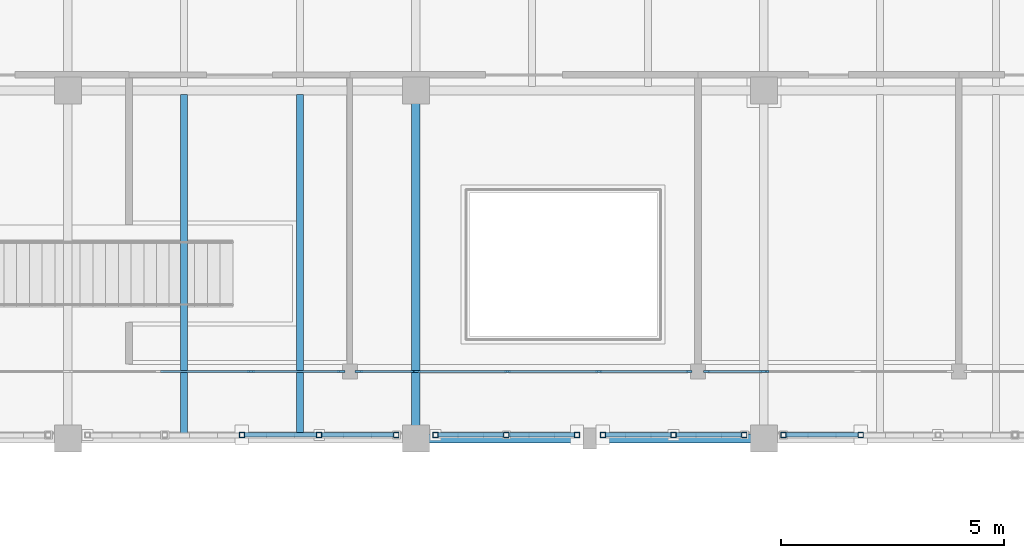
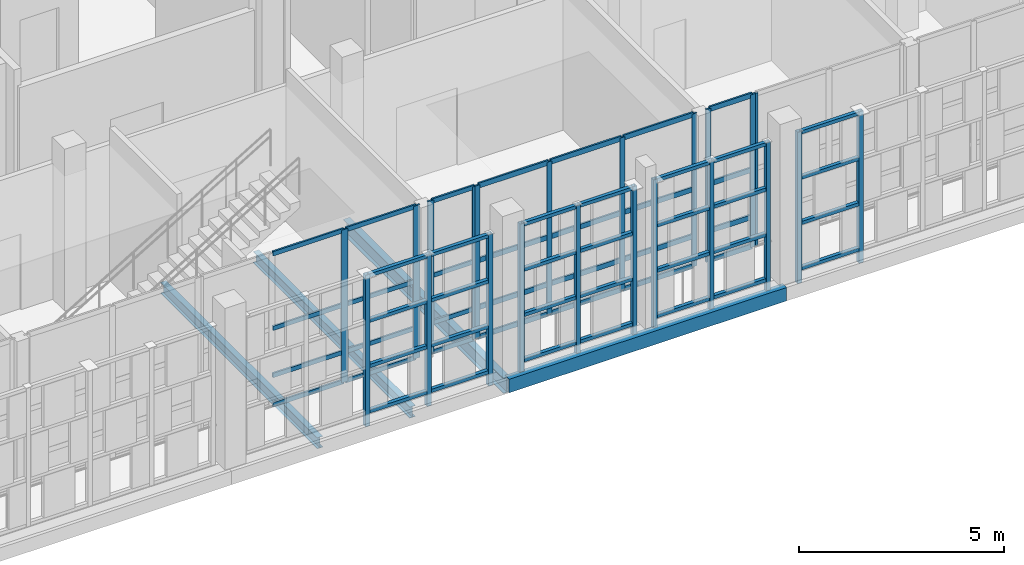
# One storey, part 60 of 138: 78 members, 4 beams, 5 elements without a shape of their own.
"""IFC4 building model written with IfcOpenShell, lengths in metres."""

from ifc_helpers import new_model, si_unit, direction, frame, origin, origin_2d, place, context, subcontext, project, spatial, rectangle, hollow_rectangle, i_section, extrude, material, layer, layer_set, material_profile, profile_set, type_object, element, aggregate, save


model = new_model("IFC4")

# Units and contexts
model_context = context("Model", 3, precision=1e-05, world=origin(), true_north=direction((0.0, 1.0)))
body_context = subcontext(model_context, "Body", "Model", "MODEL_VIEW")
ifc_project = project(units=[si_unit("LENGTHUNIT", "METRE"), si_unit("AREAUNIT", "SQUARE_METRE"), si_unit("VOLUMEUNIT", "CUBIC_METRE"), si_unit("PLANEANGLEUNIT", "RADIAN"), si_unit("MASSUNIT", "GRAM", prefix="KILO")], contexts=[model_context])

# Site, building, storey
site_placement = place(None, origin())
site = spatial("IfcSite", under=ifc_project, at=site_placement, CompositionType="ELEMENT")
building_placement = place(site_placement, origin())
building = spatial("IfcBuilding", under=site, at=building_placement, Name="Celorna Specialist Clinic", CompositionType="ELEMENT")
storey_placement = place(building_placement, frame((0.0, 0.0, 4.800048828125)))
storey = spatial("IfcBuildingStorey", under=building, at=storey_placement, Name="L01", CompositionType="ELEMENT", Elevation=4.800048828125)

# Beams
ifc_material_1 = material(Name="Steel S355", Category="steel")
ifc_material_profile_1 = material_profile(ifc_material_1, i_section(OverallWidth=0.18994140625, OverallDepth=0.449951171875, WebThickness=0.009521484375, FlangeThickness=0.0146484375, at=origin_2d()), Name="IPE 450")
ifc_profile_set_1 = profile_set([ifc_material_profile_1], Name="Steel S355")
beam_type_1 = type_object("IfcBeamType", Name="BM-09", PredefinedType="BEAM", material=ifc_profile_set_1)
beam_1_placement = place(storey_placement, frame((117.0, 96.5, -0.485107421875), z_axis=(0.0, 1.0, 0.0), x_axis=(-1.0, 0.0, 0.0)))
element("IfcBeam", 1, at=beam_1_placement, inside=storey, type_object=beam_type_1, Name="Transverse girder BM-09 #959", PredefinedType="BEAM", context=body_context, shape_type="SweptSolid", body=[
    extrude(i_section(OverallWidth=0.18994140625, OverallDepth=0.449951171875, WebThickness=0.009521484375, FlangeThickness=0.0146484375, at=origin_2d()), origin(), (0.0, 0.0, 1.0), 7.800048828125),
])
ifc_material_profile_2 = material_profile(ifc_material_1, i_section(OverallWidth=0.159912109375, OverallDepth=0.330078125, WebThickness=0.007568359375, FlangeThickness=0.011474609375, at=origin_2d()), Name="IPE 330")
ifc_profile_set_2 = profile_set([ifc_material_profile_2], Name="Steel S355")
beam_type_2 = type_object("IfcBeamType", Name="BM-12", PredefinedType="JOIST", material=ifc_profile_set_2)
for number, where, z_axis, x_axis, name in (
    (2, (111.800048828125, 96.587890625, -0.425048828125), (0.0, 1.0, 0.0), (-1.0, 0.0, 0.0), "Secondary floor joist BM-12 #1025"),
    (3, (114.39990234375, 96.587890625, -0.425048828125), (0.0, 1.0, 0.0), (-1.0, 0.0, 0.0), "Secondary floor joist BM-12 #1026"),
):
    element("IfcBeam", number, at=place(storey_placement, frame(where, z_axis=z_axis, x_axis=x_axis)), inside=storey, type_object=beam_type_2, Name=name, PredefinedType="JOIST", context=body_context, shape_type="SweptSolid", body=[
        extrude(i_section(OverallWidth=0.159912109375, OverallDepth=0.330078125, WebThickness=0.007568359375, FlangeThickness=0.011474609375, at=origin_2d()), origin(), (0.0, 0.0, 1.0), 7.6240234375),
    ])
ifc_material_profile_3 = material_profile(ifc_material_1, hollow_rectangle(XDim=0.199951171875, YDim=0.39990234375, WallThickness=0.011962890625, at=origin_2d()), Name="RHS 200x400x12")
ifc_profile_set_3 = profile_set([ifc_material_profile_3], Name="Steel S355")
beam_type_3 = type_object("IfcBeamType", Name="BM-15", PredefinedType="SPANDREL", material=ifc_profile_set_3)
beam_2_placement = place(storey_placement, frame((117.0, 96.5, -0.4599609375), z_axis=(1.0, 0.0, 0.0), x_axis=(0.0, 1.0, 0.0)))
element("IfcBeam", 4, at=beam_2_placement, inside=storey, type_object=beam_type_3, Name="Spandrel beam BM-15 #878", PredefinedType="SPANDREL", context=body_context, shape_type="SweptSolid", body=[
    extrude(hollow_rectangle(XDim=0.199951171875, YDim=0.39990234375, WallThickness=0.011962890625, at=origin_2d()), origin(), (0.0, 0.0, 1.0), 7.800048828125),
])

# Members
ifc_material_profile_4 = material_profile(ifc_material_1, hollow_rectangle(XDim=0.1201171875, YDim=0.1201171875, WallThickness=0.008056640625, at=origin_2d()), Name="SHS 120x120x8")
ifc_profile_set_4 = profile_set([ifc_material_profile_4], Name="Steel S355")
member_type_1 = type_object("IfcMemberType", Name="MB-11", PredefinedType="STUD", material=ifc_profile_set_4)
for number, where, z_axis, x_axis, name in (
    (5, (113.10009765625, 96.580078125, -0.360107421875), (0.0, 0.0, 1.0), (1.0, 0.0, 0.0), "Perforated screen steel post #859"),
    (6, (114.830078125, 96.580078125, -0.360107421875), (0.0, 0.0, 1.0), (1.0, 0.0, 0.0), "Perforated screen steel post #860"),
    (7, (116.56005859375, 96.580078125, -0.360107421875), (0.0, 0.0, 1.0), (1.0, 0.0, 0.0), "Perforated screen steel post #861"),
    (8, (117.43994140625, 96.580078125, -0.360107421875), (0.0, 0.0, 1.0), (1.0, 0.0, 0.0), "Perforated screen steel post #878"),
    (9, (119.02490234375, 96.580078125, -0.360107421875), (0.0, 0.0, 1.0), (1.0, 0.0, 0.0), "Perforated screen steel post #879"),
    (10, (120.610107421875, 96.580078125, -0.360107421875), (0.0, 0.0, 1.0), (1.0, 0.0, 0.0), "Perforated screen steel post #880"),
    (11, (121.18994140625, 96.580078125, -0.360107421875), (0.0, 0.0, 1.0), (1.0, 0.0, 0.0), "Perforated screen steel post #889"),
    (12, (122.77490234375, 96.580078125, -0.360107421875), (0.0, 0.0, 1.0), (1.0, 0.0, 0.0), "Perforated screen steel post #890"),
    (13, (124.360107421875, 96.580078125, -0.360107421875), (0.0, 0.0, 1.0), (1.0, 0.0, 0.0), "Perforated screen steel post #891"),
    (14, (125.239990234375, 96.580078125, -0.360107421875), (0.0, 0.0, 1.0), (1.0, 0.0, 0.0), "Perforated screen steel post #900"),
    (15, (126.969970703125, 96.580078125, -0.360107421875), (0.0, 0.0, 1.0), (1.0, 0.0, 0.0), "Perforated screen steel post #901"),
):
    element("IfcMember", number, at=place(storey_placement, frame(where, z_axis=z_axis, x_axis=x_axis)), inside=storey, type_object=member_type_1, Name=name, PredefinedType="STUD", context=body_context, shape_type="SweptSolid", body=[
        extrude(hollow_rectangle(XDim=0.1201171875, YDim=0.1201171875, WallThickness=0.008056640625, at=origin_2d()), origin(), (0.0, 0.0, 1.0), 4.5),
    ])
ifc_material_profile_5 = material_profile(ifc_material_1, hollow_rectangle(XDim=0.10009765625, YDim=0.10009765625, WallThickness=0.006103515625, at=origin_2d()), Name="SHS 100x100x6")
ifc_profile_set_5 = profile_set([ifc_material_profile_5], Name="Steel S355")
member_type_2 = type_object("IfcMemberType", Name="MB-12", PredefinedType="STUD", material=ifc_profile_set_5)
for number, where, z_axis, x_axis, name in (
    (16, (113.159912109375, 96.580078125, 0.050048828125), (1.0, 0.0, 0.0), (0.0, 1.0, 0.0), "Perforated screen rail #870"),
    (17, (113.159912109375, 96.580078125, 1.396728515625), (1.0, 0.0, 0.0), (0.0, 1.0, 0.0), "Perforated screen rail #871"),
    (18, (113.159912109375, 96.580078125, 2.7431640625), (1.0, 0.0, 0.0), (0.0, 1.0, 0.0), "Perforated screen rail #872"),
    (19, (113.159912109375, 96.580078125, 4.08984375), (1.0, 0.0, 0.0), (0.0, 1.0, 0.0), "Perforated screen rail #873"),
    (20, (114.889892578125, 96.580078125, 0.050048828125), (1.0, 0.0, 0.0), (0.0, 1.0, 0.0), "Perforated screen rail #874"),
    (21, (114.889892578125, 96.580078125, 1.396728515625), (1.0, 0.0, 0.0), (0.0, 1.0, 0.0), "Perforated screen rail #875"),
    (22, (114.889892578125, 96.580078125, 2.7431640625), (1.0, 0.0, 0.0), (0.0, 1.0, 0.0), "Perforated screen rail #876"),
    (23, (114.889892578125, 96.580078125, 4.08984375), (1.0, 0.0, 0.0), (0.0, 1.0, 0.0), "Perforated screen rail #877"),
):
    element("IfcMember", number, at=place(storey_placement, frame(where, z_axis=z_axis, x_axis=x_axis)), inside=storey, type_object=member_type_2, Name=name, PredefinedType="STUD", context=body_context, shape_type="SweptSolid", body=[
        extrude(hollow_rectangle(XDim=0.10009765625, YDim=0.10009765625, WallThickness=0.006103515625, at=origin_2d()), origin(), (0.0, 0.0, 1.0), 1.610107421875),
    ])
for number, where, z_axis, x_axis, name in (
    (24, (117.5, 96.580078125, 0.050048828125), (1.0, 0.0, 0.0), (0.0, 1.0, 0.0), "Perforated screen rail #881"),
    (25, (117.5, 96.580078125, 1.396728515625), (1.0, 0.0, 0.0), (0.0, 1.0, 0.0), "Perforated screen rail #882"),
    (26, (117.5, 96.580078125, 2.7431640625), (1.0, 0.0, 0.0), (0.0, 1.0, 0.0), "Perforated screen rail #883"),
    (27, (117.5, 96.580078125, 4.08984375), (1.0, 0.0, 0.0), (0.0, 1.0, 0.0), "Perforated screen rail #884"),
    (28, (119.0849609375, 96.580078125, 0.050048828125), (1.0, 0.0, 0.0), (0.0, 1.0, 0.0), "Perforated screen rail #885"),
    (29, (119.0849609375, 96.580078125, 1.396728515625), (1.0, 0.0, 0.0), (0.0, 1.0, 0.0), "Perforated screen rail #886"),
    (30, (119.0849609375, 96.580078125, 2.7431640625), (1.0, 0.0, 0.0), (0.0, 1.0, 0.0), "Perforated screen rail #887"),
    (31, (119.0849609375, 96.580078125, 4.08984375), (1.0, 0.0, 0.0), (0.0, 1.0, 0.0), "Perforated screen rail #888"),
    (32, (121.25, 96.580078125, 0.050048828125), (1.0, 0.0, 0.0), (0.0, 1.0, 0.0), "Perforated screen rail #892"),
    (33, (121.25, 96.580078125, 1.396728515625), (1.0, 0.0, 0.0), (0.0, 1.0, 0.0), "Perforated screen rail #893"),
    (34, (121.25, 96.580078125, 2.7431640625), (1.0, 0.0, 0.0), (0.0, 1.0, 0.0), "Perforated screen rail #894"),
    (35, (121.25, 96.580078125, 4.08984375), (1.0, 0.0, 0.0), (0.0, 1.0, 0.0), "Perforated screen rail #895"),
    (36, (122.8349609375, 96.580078125, 0.050048828125), (1.0, 0.0, 0.0), (0.0, 1.0, 0.0), "Perforated screen rail #896"),
    (37, (122.8349609375, 96.580078125, 1.396728515625), (1.0, 0.0, 0.0), (0.0, 1.0, 0.0), "Perforated screen rail #897"),
    (38, (122.8349609375, 96.580078125, 2.7431640625), (1.0, 0.0, 0.0), (0.0, 1.0, 0.0), "Perforated screen rail #898"),
    (39, (122.8349609375, 96.580078125, 4.08984375), (1.0, 0.0, 0.0), (0.0, 1.0, 0.0), "Perforated screen rail #899"),
):
    element("IfcMember", number, at=place(storey_placement, frame(where, z_axis=z_axis, x_axis=x_axis)), inside=storey, type_object=member_type_2, Name=name, PredefinedType="STUD", context=body_context, shape_type="SweptSolid", body=[
        extrude(hollow_rectangle(XDim=0.10009765625, YDim=0.10009765625, WallThickness=0.006103515625, at=origin_2d()), origin(), (0.0, 0.0, 1.0), 1.465087890625),
    ])
for number, where, z_axis, x_axis, name in (
    (40, (125.300048828125, 96.580078125, 0.050048828125), (1.0, 0.0, 0.0), (0.0, 1.0, 0.0), "Perforated screen rail #905"),
    (41, (125.300048828125, 96.580078125, 1.396728515625), (1.0, 0.0, 0.0), (0.0, 1.0, 0.0), "Perforated screen rail #906"),
    (42, (125.300048828125, 96.580078125, 2.7431640625), (1.0, 0.0, 0.0), (0.0, 1.0, 0.0), "Perforated screen rail #907"),
    (43, (125.300048828125, 96.580078125, 4.08984375), (1.0, 0.0, 0.0), (0.0, 1.0, 0.0), "Perforated screen rail #908"),
):
    element("IfcMember", number, at=place(storey_placement, frame(where, z_axis=z_axis, x_axis=x_axis)), inside=storey, type_object=member_type_2, Name=name, PredefinedType="STUD", context=body_context, shape_type="SweptSolid", body=[
        extrude(hollow_rectangle(XDim=0.10009765625, YDim=0.10009765625, WallThickness=0.006103515625, at=origin_2d()), origin(), (0.0, 0.0, 1.0), 1.60986328125),
    ])

# Curtain wall, member
ifc_material_2 = material(Name="Thermally broken aluminium and solar-control glass curtain wall", Category="aluminium")
ifc_layer_1 = layer(ifc_material_2, 0.159912109375, Name="Thermally broken aluminium and solar-control glass curtain wall")
ifc_layer_set_1 = layer_set([ifc_layer_1], Name="Thermally broken aluminium and solar-control glass curtain wall")
curtain_wall_type_1 = type_object("IfcCurtainWallType", Name="CW-62", PredefinedType="NOTDEFINED", material=ifc_layer_set_1)
curtain_wall_1_placement = place(storey_placement, origin())
curtain_wall_1 = element("IfcCurtainWall", 44, at=curtain_wall_1_placement, inside=storey, type_object=curtain_wall_type_1, Name="Curtain wall CW-62 #116", PredefinedType="NOTDEFINED")
ifc_material_3 = material(Name="Anodized aluminium mullion", Category="aluminium")
ifc_material_profile_6 = material_profile(ifc_material_3, rectangle(XDim=0.050048828125, YDim=0.159912109375, at=origin_2d()), Name="ALU MULLION 50x160")
ifc_profile_set_6 = profile_set([ifc_material_profile_6], Name="Anodized aluminium mullion")
member_type_3 = type_object("IfcMemberType", Name="ML-01", PredefinedType="MULLION", material=ifc_profile_set_6)
member_1_placement = place(storey_placement, frame((124.8291015625, 98.0, 0.0), z_axis=(0.0, 0.0, 1.0), x_axis=(0.0, -1.0, 0.0)))
member_1 = element("IfcMember", 45, at=member_1_placement, type_object=member_type_3, Name="CW-62 mullion 3", PredefinedType="MULLION", context=body_context, shape_type="SweptSolid", body=[
    extrude(rectangle(XDim=0.050048828125, YDim=0.159912109375, at=origin_2d()), origin(), (0.0, 0.0, 1.0), 4.5400390625),
])
aggregate(curtain_wall_1, [member_1])

# Curtain wall, members
ifc_layer_2 = layer(ifc_material_2, 0.159912109375, Name="Thermally broken aluminium and solar-control glass curtain wall")
ifc_layer_set_2 = layer_set([ifc_layer_2], Name="Thermally broken aluminium and solar-control glass curtain wall")
curtain_wall_type_2 = type_object("IfcCurtainWallType", Name="CW-57", PredefinedType="NOTDEFINED", material=ifc_layer_set_2)
curtain_wall_2_placement = place(storey_placement, origin())
curtain_wall_2 = element("IfcCurtainWall", 46, at=curtain_wall_2_placement, inside=storey, type_object=curtain_wall_type_2, Name="Curtain wall CW-57 #111", PredefinedType="NOTDEFINED")
ifc_material_profile_7 = material_profile(ifc_material_3, rectangle(XDim=0.050048828125, YDim=0.179931640625, at=origin_2d()), Name="ALU MULLION 50x180")
ifc_profile_set_7 = profile_set([ifc_material_profile_7], Name="Anodized aluminium mullion")
member_type_4 = type_object("IfcMemberType", Name="ML-02", PredefinedType="MULLION", material=ifc_profile_set_7)
member_2_placement = place(storey_placement, frame((116.970947265625, 98.0, 0.0), z_axis=(0.0, 0.0, 1.0), x_axis=(0.0, -1.0, 0.0)))
member_2 = element("IfcMember", 47, at=member_2_placement, type_object=member_type_4, Name="CW-57 mullion 1", PredefinedType="MULLION", context=body_context, shape_type="SweptSolid", body=[
    extrude(rectangle(XDim=0.050048828125, YDim=0.179931640625, at=origin_2d()), origin(), (0.0, 0.0, 1.0), 4.5400390625),
])
member_3_placement = place(storey_placement, frame((115.718994140625, 98.0, 0.0), z_axis=(0.0, 0.0, 1.0), x_axis=(0.0, -1.0, 0.0)))
member_3 = element("IfcMember", 48, at=member_3_placement, type_object=member_type_4, Name="CW-57 mullion 2", PredefinedType="MULLION", context=body_context, shape_type="SweptSolid", body=[
    extrude(rectangle(XDim=0.050048828125, YDim=0.179931640625, at=origin_2d()), origin(), (0.0, 0.0, 1.0), 4.5400390625),
])

ifc_layer_3 = layer(ifc_material_2, 0.159912109375, Name="Thermally broken aluminium and solar-control glass curtain wall")
ifc_layer_set_3 = layer_set([ifc_layer_3], Name="Thermally broken aluminium and solar-control glass curtain wall")
curtain_wall_type_3 = type_object("IfcCurtainWallType", Name="CW-58", PredefinedType="NOTDEFINED", material=ifc_layer_set_3)
curtain_wall_3_placement = place(storey_placement, origin())
curtain_wall_3 = element("IfcCurtainWall", 49, at=curtain_wall_3_placement, inside=storey, type_object=curtain_wall_type_3, Name="Curtain wall CW-58 #112", PredefinedType="NOTDEFINED")
member_4_placement = place(storey_placement, frame((115.321044921875, 98.0, 0.0), z_axis=(0.0, 0.0, 1.0), x_axis=(0.0, -1.0, 0.0)))
member_4 = element("IfcMember", 50, at=member_4_placement, type_object=member_type_4, Name="CW-58 mullion 1", PredefinedType="MULLION", context=body_context, shape_type="SweptSolid", body=[
    extrude(rectangle(XDim=0.050048828125, YDim=0.179931640625, at=origin_2d()), origin(), (0.0, 0.0, 1.0), 4.5400390625),
])
member_5_placement = place(storey_placement, frame((113.298583984375, 98.0, 0.0), z_axis=(0.0, 0.0, 1.0), x_axis=(0.0, -1.0, 0.0)))
member_5 = element("IfcMember", 51, at=member_5_placement, type_object=member_type_4, Name="CW-58 mullion 2", PredefinedType="MULLION", context=body_context, shape_type="SweptSolid", body=[
    extrude(rectangle(XDim=0.050048828125, YDim=0.179931640625, at=origin_2d()), origin(), (0.0, 0.0, 1.0), 4.5400390625),
])

ifc_layer_4 = layer(ifc_material_2, 0.159912109375, Name="Thermally broken aluminium and solar-control glass curtain wall")
ifc_layer_set_4 = layer_set([ifc_layer_4], Name="Thermally broken aluminium and solar-control glass curtain wall")
curtain_wall_type_4 = type_object("IfcCurtainWallType", Name="CW-59", PredefinedType="NOTDEFINED", material=ifc_layer_set_4)
curtain_wall_4_placement = place(storey_placement, origin())
curtain_wall_4 = element("IfcCurtainWall", 52, at=curtain_wall_4_placement, inside=storey, type_object=curtain_wall_type_4, Name="Curtain wall CW-59 #113", PredefinedType="NOTDEFINED")
ifc_material_profile_8 = material_profile(ifc_material_3, rectangle(XDim=0.050048828125, YDim=0.139892578125, at=origin_2d()), Name="ALU MULLION 50x140")
ifc_profile_set_8 = profile_set([ifc_material_profile_8], Name="Anodized aluminium mullion")
member_type_5 = type_object("IfcMemberType", Name="ML-03", PredefinedType="MULLION", material=ifc_profile_set_8)
member_6_placement = place(storey_placement, frame((124.77099609375, 98.0, 0.0), z_axis=(0.0, 0.0, 1.0), x_axis=(0.0, -1.0, 0.0)))
member_6 = element("IfcMember", 53, at=member_6_placement, type_object=member_type_5, Name="CW-59 mullion 1", PredefinedType="MULLION", context=body_context, shape_type="SweptSolid", body=[
    extrude(rectangle(XDim=0.050048828125, YDim=0.139892578125, at=origin_2d()), origin(), (0.0, 0.0, 1.0), 4.5400390625),
])
member_7_placement = place(storey_placement, frame((123.51904296875, 98.0, 0.0), z_axis=(0.0, 0.0, 1.0), x_axis=(0.0, -1.0, 0.0)))
member_7 = element("IfcMember", 54, at=member_7_placement, type_object=member_type_5, Name="CW-59 mullion 2", PredefinedType="MULLION", context=body_context, shape_type="SweptSolid", body=[
    extrude(rectangle(XDim=0.050048828125, YDim=0.139892578125, at=origin_2d()), origin(), (0.0, 0.0, 1.0), 4.5400390625),
])

ifc_layer_5 = layer(ifc_material_2, 0.159912109375, Name="Thermally broken aluminium and solar-control glass curtain wall")
ifc_layer_set_5 = layer_set([ifc_layer_5], Name="Thermally broken aluminium and solar-control glass curtain wall")
curtain_wall_type_5 = type_object("IfcCurtainWallType", Name="CW-60", PredefinedType="NOTDEFINED", material=ifc_layer_set_5)
curtain_wall_5_placement = place(storey_placement, origin())
curtain_wall_5 = element("IfcCurtainWall", 55, at=curtain_wall_5_placement, inside=storey, type_object=curtain_wall_type_5, Name="Curtain wall CW-60 #114", PredefinedType="NOTDEFINED")
member_8_placement = place(storey_placement, frame((123.12109375, 98.0, 0.0), z_axis=(0.0, 0.0, 1.0), x_axis=(0.0, -1.0, 0.0)))
member_8 = element("IfcMember", 56, at=member_8_placement, type_object=member_type_5, Name="CW-60 mullion 1", PredefinedType="MULLION", context=body_context, shape_type="SweptSolid", body=[
    extrude(rectangle(XDim=0.050048828125, YDim=0.139892578125, at=origin_2d()), origin(), (0.0, 0.0, 1.0), 4.5400390625),
])
member_9_placement = place(storey_placement, frame((121.0986328125, 98.0, 0.0), z_axis=(0.0, 0.0, 1.0), x_axis=(0.0, -1.0, 0.0)))
member_9 = element("IfcMember", 57, at=member_9_placement, type_object=member_type_5, Name="CW-60 mullion 2", PredefinedType="MULLION", context=body_context, shape_type="SweptSolid", body=[
    extrude(rectangle(XDim=0.050048828125, YDim=0.139892578125, at=origin_2d()), origin(), (0.0, 0.0, 1.0), 4.5400390625),
])
member_10_placement = place(storey_placement, frame((119.05126953125, 98.0, 0.0), z_axis=(0.0, 0.0, 1.0), x_axis=(0.0, -1.0, 0.0)))
member_10 = element("IfcMember", 58, at=member_10_placement, type_object=member_type_5, Name="CW-60 mullion 3", PredefinedType="MULLION", context=body_context, shape_type="SweptSolid", body=[
    extrude(rectangle(XDim=0.050048828125, YDim=0.139892578125, at=origin_2d()), origin(), (0.0, 0.0, 1.0), 4.5400390625),
])
member_11_placement = place(storey_placement, frame((117.029052734375, 98.0, 0.0), z_axis=(0.0, 0.0, 1.0), x_axis=(0.0, -1.0, 0.0)))
member_11 = element("IfcMember", 59, at=member_11_placement, type_object=member_type_5, Name="CW-60 mullion 4", PredefinedType="MULLION", context=body_context, shape_type="SweptSolid", body=[
    extrude(rectangle(XDim=0.050048828125, YDim=0.139892578125, at=origin_2d()), origin(), (0.0, 0.0, 1.0), 4.5400390625),
])

# Member
ifc_material_4 = material(Name="Anodized aluminium transom", Category="aluminium")
ifc_material_profile_9 = material_profile(ifc_material_4, rectangle(XDim=0.050048828125, YDim=0.1298828125, at=origin_2d()), Name="ALU TRANSOM 50x130")
ifc_profile_set_9 = profile_set([ifc_material_profile_9], Name="Anodized aluminium transom")
member_type_6 = type_object("IfcMemberType", Name="TR-01", PredefinedType="USERDEFINED", material=ifc_profile_set_9)
member_12_placement = place(storey_placement, frame((116.946044921875, 98.0, 0.02490234375), z_axis=(-1.0, 0.0, 0.0), x_axis=(0.0, -1.0, 0.0)))
member_12 = element("IfcMember", 60, at=member_12_placement, type_object=member_type_6, Name="CW-57 transom 1.1", ObjectType="TRANSOM", PredefinedType="USERDEFINED", context=body_context, shape_type="SweptSolid", body=[
    extrude(rectangle(XDim=0.050048828125, YDim=0.1298828125, at=origin_2d()), origin(), (0.0, 0.0, 1.0), 1.2021484375),
])

member_13_placement = place(storey_placement, frame((116.946044921875, 98.0, 0.89990234375), z_axis=(-1.0, 0.0, 0.0), x_axis=(0.0, -1.0, 0.0)))
member_13 = element("IfcMember", 61, at=member_13_placement, type_object=member_type_6, Name="CW-57 transom 1.2", ObjectType="TRANSOM", PredefinedType="USERDEFINED", context=body_context, shape_type="SweptSolid", body=[
    extrude(rectangle(XDim=0.050048828125, YDim=0.1298828125, at=origin_2d()), origin(), (0.0, 0.0, 1.0), 1.2021484375),
])

member_14_placement = place(storey_placement, frame((116.946044921875, 98.0, 2.300048828125), z_axis=(-1.0, 0.0, 0.0), x_axis=(0.0, -1.0, 0.0)))
member_14 = element("IfcMember", 62, at=member_14_placement, type_object=member_type_6, Name="CW-57 transom 1.3", ObjectType="TRANSOM", PredefinedType="USERDEFINED", context=body_context, shape_type="SweptSolid", body=[
    extrude(rectangle(XDim=0.050048828125, YDim=0.1298828125, at=origin_2d()), origin(), (0.0, 0.0, 1.0), 1.2021484375),
])

member_15_placement = place(storey_placement, frame((116.946044921875, 98.0, 4.514892578125), z_axis=(-1.0, 0.0, 0.0), x_axis=(0.0, -1.0, 0.0)))
member_15 = element("IfcMember", 63, at=member_15_placement, type_object=member_type_6, Name="CW-57 transom 1.4", ObjectType="TRANSOM", PredefinedType="USERDEFINED", context=body_context, shape_type="SweptSolid", body=[
    extrude(rectangle(XDim=0.050048828125, YDim=0.1298828125, at=origin_2d()), origin(), (0.0, 0.0, 1.0), 1.2021484375),
])

aggregate(curtain_wall_2, [member_2, member_3, member_12, member_13, member_14, member_15])

member_16_placement = place(storey_placement, frame((115.2958984375, 98.0, 0.02490234375), z_axis=(-1.0, 0.0, 0.0), x_axis=(0.0, -1.0, 0.0)))
member_16 = element("IfcMember", 64, at=member_16_placement, type_object=member_type_6, Name="CW-58 transom 1.1", ObjectType="TRANSOM", PredefinedType="USERDEFINED", context=body_context, shape_type="SweptSolid", body=[
    extrude(rectangle(XDim=0.050048828125, YDim=0.1298828125, at=origin_2d()), origin(), (0.0, 0.0, 1.0), 1.97216796875),
])

member_17_placement = place(storey_placement, frame((115.2958984375, 98.0, 0.89990234375), z_axis=(-1.0, 0.0, 0.0), x_axis=(0.0, -1.0, 0.0)))
member_17 = element("IfcMember", 65, at=member_17_placement, type_object=member_type_6, Name="CW-58 transom 1.2", ObjectType="TRANSOM", PredefinedType="USERDEFINED", context=body_context, shape_type="SweptSolid", body=[
    extrude(rectangle(XDim=0.050048828125, YDim=0.1298828125, at=origin_2d()), origin(), (0.0, 0.0, 1.0), 1.97216796875),
])

member_18_placement = place(storey_placement, frame((115.2958984375, 98.0, 2.300048828125), z_axis=(-1.0, 0.0, 0.0), x_axis=(0.0, -1.0, 0.0)))
member_18 = element("IfcMember", 66, at=member_18_placement, type_object=member_type_6, Name="CW-58 transom 1.3", ObjectType="TRANSOM", PredefinedType="USERDEFINED", context=body_context, shape_type="SweptSolid", body=[
    extrude(rectangle(XDim=0.050048828125, YDim=0.1298828125, at=origin_2d()), origin(), (0.0, 0.0, 1.0), 1.97216796875),
])

member_19_placement = place(storey_placement, frame((115.2958984375, 98.0, 4.514892578125), z_axis=(-1.0, 0.0, 0.0), x_axis=(0.0, -1.0, 0.0)))
member_19 = element("IfcMember", 67, at=member_19_placement, type_object=member_type_6, Name="CW-58 transom 1.4", ObjectType="TRANSOM", PredefinedType="USERDEFINED", context=body_context, shape_type="SweptSolid", body=[
    extrude(rectangle(XDim=0.050048828125, YDim=0.1298828125, at=origin_2d()), origin(), (0.0, 0.0, 1.0), 1.97216796875),
])

member_20_placement = place(storey_placement, frame((113.273681640625, 98.0, 0.02490234375), z_axis=(-1.0, 0.0, 0.0), x_axis=(0.0, -1.0, 0.0)))
member_20 = element("IfcMember", 68, at=member_20_placement, type_object=member_type_6, Name="CW-58 transom 2.1", ObjectType="TRANSOM", PredefinedType="USERDEFINED", context=body_context, shape_type="SweptSolid", body=[
    extrude(rectangle(XDim=0.050048828125, YDim=0.1298828125, at=origin_2d()), origin(), (0.0, 0.0, 1.0), 1.997314453125),
])

member_21_placement = place(storey_placement, frame((113.273681640625, 98.0, 0.89990234375), z_axis=(-1.0, 0.0, 0.0), x_axis=(0.0, -1.0, 0.0)))
member_21 = element("IfcMember", 69, at=member_21_placement, type_object=member_type_6, Name="CW-58 transom 2.2", ObjectType="TRANSOM", PredefinedType="USERDEFINED", context=body_context, shape_type="SweptSolid", body=[
    extrude(rectangle(XDim=0.050048828125, YDim=0.1298828125, at=origin_2d()), origin(), (0.0, 0.0, 1.0), 1.997314453125),
])

member_22_placement = place(storey_placement, frame((113.273681640625, 98.0, 2.300048828125), z_axis=(-1.0, 0.0, 0.0), x_axis=(0.0, -1.0, 0.0)))
member_22 = element("IfcMember", 70, at=member_22_placement, type_object=member_type_6, Name="CW-58 transom 2.3", ObjectType="TRANSOM", PredefinedType="USERDEFINED", context=body_context, shape_type="SweptSolid", body=[
    extrude(rectangle(XDim=0.050048828125, YDim=0.1298828125, at=origin_2d()), origin(), (0.0, 0.0, 1.0), 1.997314453125),
])

member_23_placement = place(storey_placement, frame((113.273681640625, 98.0, 4.514892578125), z_axis=(-1.0, 0.0, 0.0), x_axis=(0.0, -1.0, 0.0)))
member_23 = element("IfcMember", 71, at=member_23_placement, type_object=member_type_6, Name="CW-58 transom 2.4", ObjectType="TRANSOM", PredefinedType="USERDEFINED", context=body_context, shape_type="SweptSolid", body=[
    extrude(rectangle(XDim=0.050048828125, YDim=0.1298828125, at=origin_2d()), origin(), (0.0, 0.0, 1.0), 1.997314453125),
])

aggregate(curtain_wall_3, [member_4, member_5, member_16, member_17, member_18, member_19, member_20, member_21, member_22, member_23])

ifc_material_profile_10 = material_profile(ifc_material_4, rectangle(XDim=0.050048828125, YDim=0.14990234375, at=origin_2d()), Name="ALU TRANSOM 50x150")
ifc_profile_set_10 = profile_set([ifc_material_profile_10], Name="Anodized aluminium transom")
member_type_7 = type_object("IfcMemberType", Name="TR-02", PredefinedType="USERDEFINED", material=ifc_profile_set_10)
member_24_placement = place(storey_placement, frame((124.74609375, 98.0, 0.02490234375), z_axis=(-1.0, 0.0, 0.0), x_axis=(0.0, -1.0, 0.0)))
member_24 = element("IfcMember", 72, at=member_24_placement, type_object=member_type_7, Name="CW-59 transom 1.1", ObjectType="TRANSOM", PredefinedType="USERDEFINED", context=body_context, shape_type="SweptSolid", body=[
    extrude(rectangle(XDim=0.050048828125, YDim=0.14990234375, at=origin_2d()), origin(), (0.0, 0.0, 1.0), 1.2021484375),
])

member_25_placement = place(storey_placement, frame((124.74609375, 98.0, 0.89990234375), z_axis=(-1.0, 0.0, 0.0), x_axis=(0.0, -1.0, 0.0)))
member_25 = element("IfcMember", 73, at=member_25_placement, type_object=member_type_7, Name="CW-59 transom 1.2", ObjectType="TRANSOM", PredefinedType="USERDEFINED", context=body_context, shape_type="SweptSolid", body=[
    extrude(rectangle(XDim=0.050048828125, YDim=0.14990234375, at=origin_2d()), origin(), (0.0, 0.0, 1.0), 1.2021484375),
])

member_26_placement = place(storey_placement, frame((124.74609375, 98.0, 2.300048828125), z_axis=(-1.0, 0.0, 0.0), x_axis=(0.0, -1.0, 0.0)))
member_26 = element("IfcMember", 74, at=member_26_placement, type_object=member_type_7, Name="CW-59 transom 1.3", ObjectType="TRANSOM", PredefinedType="USERDEFINED", context=body_context, shape_type="SweptSolid", body=[
    extrude(rectangle(XDim=0.050048828125, YDim=0.14990234375, at=origin_2d()), origin(), (0.0, 0.0, 1.0), 1.2021484375),
])

member_27_placement = place(storey_placement, frame((124.74609375, 98.0, 4.514892578125), z_axis=(-1.0, 0.0, 0.0), x_axis=(0.0, -1.0, 0.0)))
member_27 = element("IfcMember", 75, at=member_27_placement, type_object=member_type_7, Name="CW-59 transom 1.4", ObjectType="TRANSOM", PredefinedType="USERDEFINED", context=body_context, shape_type="SweptSolid", body=[
    extrude(rectangle(XDim=0.050048828125, YDim=0.14990234375, at=origin_2d()), origin(), (0.0, 0.0, 1.0), 1.2021484375),
])

aggregate(curtain_wall_4, [member_6, member_7, member_24, member_25, member_26, member_27])

member_28_placement = place(storey_placement, frame((123.095947265625, 98.0, 0.02490234375), z_axis=(-1.0, 0.0, 0.0), x_axis=(0.0, -1.0, 0.0)))
member_28 = element("IfcMember", 76, at=member_28_placement, type_object=member_type_7, Name="CW-60 transom 1.1", ObjectType="TRANSOM", PredefinedType="USERDEFINED", context=body_context, shape_type="SweptSolid", body=[
    extrude(rectangle(XDim=0.050048828125, YDim=0.14990234375, at=origin_2d()), origin(), (0.0, 0.0, 1.0), 1.97216796875),
])

member_29_placement = place(storey_placement, frame((123.095947265625, 98.0, 0.89990234375), z_axis=(-1.0, 0.0, 0.0), x_axis=(0.0, -1.0, 0.0)))
member_29 = element("IfcMember", 77, at=member_29_placement, type_object=member_type_7, Name="CW-60 transom 1.2", ObjectType="TRANSOM", PredefinedType="USERDEFINED", context=body_context, shape_type="SweptSolid", body=[
    extrude(rectangle(XDim=0.050048828125, YDim=0.14990234375, at=origin_2d()), origin(), (0.0, 0.0, 1.0), 1.97216796875),
])

member_30_placement = place(storey_placement, frame((123.095947265625, 98.0, 2.300048828125), z_axis=(-1.0, 0.0, 0.0), x_axis=(0.0, -1.0, 0.0)))
member_30 = element("IfcMember", 78, at=member_30_placement, type_object=member_type_7, Name="CW-60 transom 1.3", ObjectType="TRANSOM", PredefinedType="USERDEFINED", context=body_context, shape_type="SweptSolid", body=[
    extrude(rectangle(XDim=0.050048828125, YDim=0.14990234375, at=origin_2d()), origin(), (0.0, 0.0, 1.0), 1.97216796875),
])

member_31_placement = place(storey_placement, frame((123.095947265625, 98.0, 4.514892578125), z_axis=(-1.0, 0.0, 0.0), x_axis=(0.0, -1.0, 0.0)))
member_31 = element("IfcMember", 79, at=member_31_placement, type_object=member_type_7, Name="CW-60 transom 1.4", ObjectType="TRANSOM", PredefinedType="USERDEFINED", context=body_context, shape_type="SweptSolid", body=[
    extrude(rectangle(XDim=0.050048828125, YDim=0.14990234375, at=origin_2d()), origin(), (0.0, 0.0, 1.0), 1.97216796875),
])

member_32_placement = place(storey_placement, frame((121.07373046875, 98.0, 0.02490234375), z_axis=(-1.0, 0.0, 0.0), x_axis=(0.0, -1.0, 0.0)))
member_32 = element("IfcMember", 80, at=member_32_placement, type_object=member_type_7, Name="CW-60 transom 2.1", ObjectType="TRANSOM", PredefinedType="USERDEFINED", context=body_context, shape_type="SweptSolid", body=[
    extrude(rectangle(XDim=0.050048828125, YDim=0.14990234375, at=origin_2d()), origin(), (0.0, 0.0, 1.0), 1.997314453125),
])

member_33_placement = place(storey_placement, frame((121.07373046875, 98.0, 0.89990234375), z_axis=(-1.0, 0.0, 0.0), x_axis=(0.0, -1.0, 0.0)))
member_33 = element("IfcMember", 81, at=member_33_placement, type_object=member_type_7, Name="CW-60 transom 2.2", ObjectType="TRANSOM", PredefinedType="USERDEFINED", context=body_context, shape_type="SweptSolid", body=[
    extrude(rectangle(XDim=0.050048828125, YDim=0.14990234375, at=origin_2d()), origin(), (0.0, 0.0, 1.0), 1.997314453125),
])

member_34_placement = place(storey_placement, frame((121.07373046875, 98.0, 2.300048828125), z_axis=(-1.0, 0.0, 0.0), x_axis=(0.0, -1.0, 0.0)))
member_34 = element("IfcMember", 82, at=member_34_placement, type_object=member_type_7, Name="CW-60 transom 2.3", ObjectType="TRANSOM", PredefinedType="USERDEFINED", context=body_context, shape_type="SweptSolid", body=[
    extrude(rectangle(XDim=0.050048828125, YDim=0.14990234375, at=origin_2d()), origin(), (0.0, 0.0, 1.0), 1.997314453125),
])

member_35_placement = place(storey_placement, frame((121.07373046875, 98.0, 4.514892578125), z_axis=(-1.0, 0.0, 0.0), x_axis=(0.0, -1.0, 0.0)))
member_35 = element("IfcMember", 83, at=member_35_placement, type_object=member_type_7, Name="CW-60 transom 2.4", ObjectType="TRANSOM", PredefinedType="USERDEFINED", context=body_context, shape_type="SweptSolid", body=[
    extrude(rectangle(XDim=0.050048828125, YDim=0.14990234375, at=origin_2d()), origin(), (0.0, 0.0, 1.0), 1.997314453125),
])

member_36_placement = place(storey_placement, frame((119.0263671875, 98.0, 0.02490234375), z_axis=(-1.0, 0.0, 0.0), x_axis=(0.0, -1.0, 0.0)))
member_36 = element("IfcMember", 84, at=member_36_placement, type_object=member_type_7, Name="CW-60 transom 3.1", ObjectType="TRANSOM", PredefinedType="USERDEFINED", context=body_context, shape_type="SweptSolid", body=[
    extrude(rectangle(XDim=0.050048828125, YDim=0.14990234375, at=origin_2d()), origin(), (0.0, 0.0, 1.0), 1.972412109375),
])

member_37_placement = place(storey_placement, frame((119.0263671875, 98.0, 0.89990234375), z_axis=(-1.0, 0.0, 0.0), x_axis=(0.0, -1.0, 0.0)))
member_37 = element("IfcMember", 85, at=member_37_placement, type_object=member_type_7, Name="CW-60 transom 3.2", ObjectType="TRANSOM", PredefinedType="USERDEFINED", context=body_context, shape_type="SweptSolid", body=[
    extrude(rectangle(XDim=0.050048828125, YDim=0.14990234375, at=origin_2d()), origin(), (0.0, 0.0, 1.0), 1.972412109375),
])

member_38_placement = place(storey_placement, frame((119.0263671875, 98.0, 2.300048828125), z_axis=(-1.0, 0.0, 0.0), x_axis=(0.0, -1.0, 0.0)))
member_38 = element("IfcMember", 86, at=member_38_placement, type_object=member_type_7, Name="CW-60 transom 3.3", ObjectType="TRANSOM", PredefinedType="USERDEFINED", context=body_context, shape_type="SweptSolid", body=[
    extrude(rectangle(XDim=0.050048828125, YDim=0.14990234375, at=origin_2d()), origin(), (0.0, 0.0, 1.0), 1.972412109375),
])

member_39_placement = place(storey_placement, frame((119.0263671875, 98.0, 4.514892578125), z_axis=(-1.0, 0.0, 0.0), x_axis=(0.0, -1.0, 0.0)))
member_39 = element("IfcMember", 87, at=member_39_placement, type_object=member_type_7, Name="CW-60 transom 3.4", ObjectType="TRANSOM", PredefinedType="USERDEFINED", context=body_context, shape_type="SweptSolid", body=[
    extrude(rectangle(XDim=0.050048828125, YDim=0.14990234375, at=origin_2d()), origin(), (0.0, 0.0, 1.0), 1.972412109375),
])

aggregate(curtain_wall_5, [member_8, member_9, member_10, member_11, member_28, member_29, member_30, member_31, member_32, member_33, member_34, member_35, member_36, member_37, member_38, member_39])

save(model, "model.ifc")
